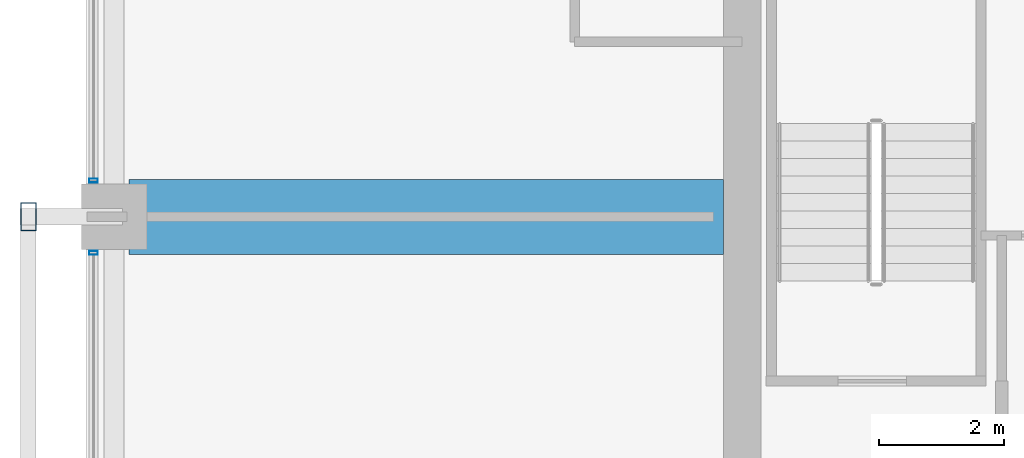
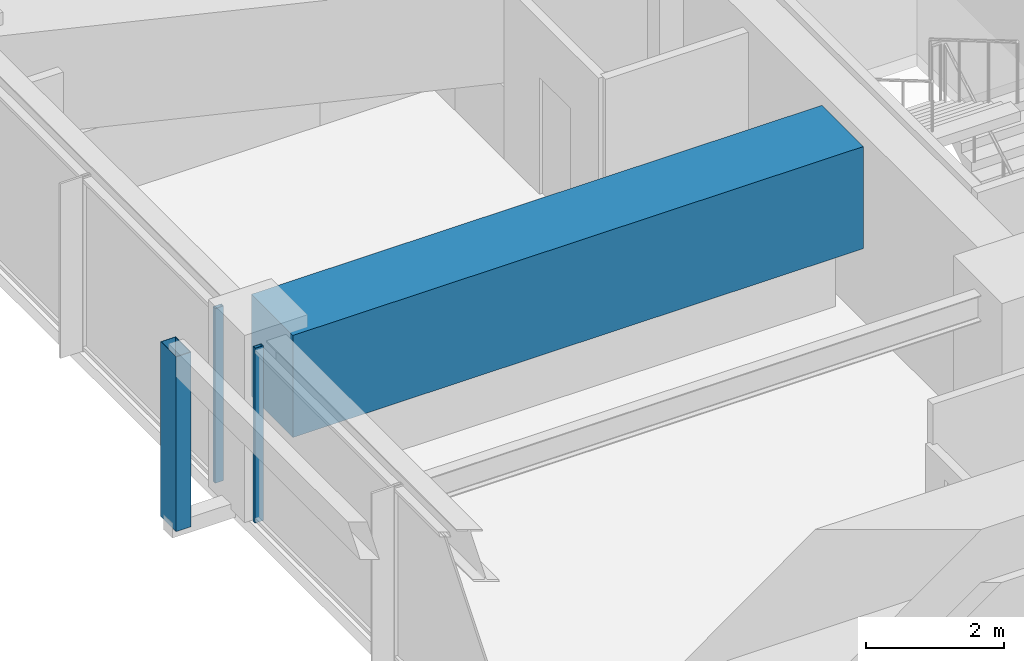
# One storey, part 11 of 39: 3 members, 1 beam, 2 elements without a shape of their own.
"""IFC4 building model written with IfcOpenShell, lengths in metres."""

from ifc_helpers import new_model, si_unit, direction, frame, origin, origin_2d, place, context, subcontext, project, spatial, rectangle, hollow_rectangle, extrude, material, material_profile, profile_set, type_object, element, aggregate, save


model = new_model("IFC4")

# Units and contexts
model_context = context("Model", 3, precision=1e-05, world=origin(), true_north=direction((0.0, 1.0)))
body_context = subcontext(model_context, "Body", "Model", "MODEL_VIEW")
ifc_project = project(units=[si_unit("LENGTHUNIT", "METRE"), si_unit("AREAUNIT", "SQUARE_METRE"), si_unit("VOLUMEUNIT", "CUBIC_METRE"), si_unit("PLANEANGLEUNIT", "RADIAN"), si_unit("MASSUNIT", "GRAM", prefix="KILO")], contexts=[model_context])

# Site, building, storey
site_placement = place(None, origin())
site = spatial("IfcSite", under=ifc_project, at=site_placement, CompositionType="ELEMENT")
building_placement = place(site_placement, origin())
building = spatial("IfcBuilding", under=site, at=building_placement, Name="Kolvaren Belvedere", CompositionType="ELEMENT")
storey_placement = place(building_placement, frame((0.0, 0.0, 85.39990234375)))
storey = spatial("IfcBuildingStorey", under=building, at=storey_placement, Name="L24", CompositionType="ELEMENT", Elevation=85.39990234375)

# Beam
ifc_material_1 = material(Name="Concrete C50/60", Category="concrete")
ifc_material_profile_1 = material_profile(ifc_material_1, rectangle(XDim=1.199951171875, YDim=1.800048828125, at=origin_2d()), Name="RC 1200X1800")
ifc_profile_set_1 = profile_set([ifc_material_profile_1], Name="Concrete C50/60")
beam_type = type_object("IfcBeamType", Name="BM-TG-1800", PredefinedType="BEAM", material=ifc_profile_set_1)
beam_placement = place(storey_placement, frame((-10.199951171875, 4.60009765625, 2.18017578125), z_axis=(-1.0, 0.0, 0.0), x_axis=(0.0, -1.0, 0.0)))
element("IfcBeam", 1, at=beam_placement, inside=storey, type_object=beam_type, Name="L24 West Radial Girder P", PredefinedType="BEAM", context=body_context, shape_type="SweptSolid", body=[
    extrude(rectangle(XDim=1.199951171875, YDim=1.800048828125, at=origin_2d()), origin(), (0.0, 0.0, 1.0), 9.513916015625),
])

# Curtain wall, member
ifc_material_2 = material(Name="Anodised pale-metal aluminium AA 6063-T6", Category="aluminium")
curtain_wall_type = type_object("IfcCurtainWallType", Name="CW-Z2-MID", PredefinedType="NOTDEFINED", material=ifc_material_2)
curtain_wall_1_placement = place(storey_placement, origin())
curtain_wall_1 = element("IfcCurtainWall", 2, at=curtain_wall_1_placement, inside=storey, type_object=curtain_wall_type, Name="L24 Unitised Curtain Wall FCW-L24-W-B2", PredefinedType="NOTDEFINED")
ifc_material_3 = material(Name="Anodised pale-metal aluminium AA 6063-T6", Category="aluminium")
ifc_material_profile_2 = material_profile(ifc_material_3, hollow_rectangle(XDim=0.06494140625, YDim=0.139892578125, WallThickness=0.00390625, at=origin_2d()), Name="ALU-MUL-140X65")
ifc_profile_set_2 = profile_set([ifc_material_profile_2], Name="Anodised pale-metal aluminium AA 6063-T6")
member_type_1 = type_object("IfcMemberType", Name="CW-MUL-140", PredefinedType="MULLION", material=ifc_profile_set_2)
member_1_placement = place(storey_placement, frame((-20.280029296875, 4.0224609375, 0.0), z_axis=(0.0, 0.0, 1.0), x_axis=(0.0, 1.0, 0.0)))
member_1 = element("IfcMember", 3, at=member_1_placement, type_object=member_type_1, Name="FCW-L24-W-B2 Unitised Mullion 3", PredefinedType="MULLION", context=body_context, shape_type="SweptSolid", body=[
    extrude(hollow_rectangle(XDim=0.06494140625, YDim=0.139892578125, WallThickness=0.00390625, at=origin_2d()), origin(), (0.0, 0.0, 1.0), 3.080078125),
])
aggregate(curtain_wall_1, [member_1])

curtain_wall_2_placement = place(storey_placement, origin())
curtain_wall_2 = element("IfcCurtainWall", 4, at=curtain_wall_2_placement, inside=storey, type_object=curtain_wall_type, Name="L24 Unitised Curtain Wall FCW-L24-W-B3", PredefinedType="NOTDEFINED")
member_2_placement = place(storey_placement, frame((-20.280029296875, 5.177490234375, 0.0), z_axis=(0.0, 0.0, 1.0), x_axis=(0.0, 1.0, 0.0)))
member_2 = element("IfcMember", 5, at=member_2_placement, type_object=member_type_1, Name="FCW-L24-W-B3 Unitised Mullion 1", PredefinedType="MULLION", context=body_context, shape_type="SweptSolid", body=[
    extrude(hollow_rectangle(XDim=0.06494140625, YDim=0.139892578125, WallThickness=0.00390625, at=origin_2d()), origin(), (0.0, 0.0, 1.0), 3.080078125),
])
aggregate(curtain_wall_2, [member_2])

# Member
ifc_material_4 = material(Name="Anodised pale-metal aluminium AA 6063-T6", Category="aluminium")
ifc_material_profile_3 = material_profile(ifc_material_4, hollow_rectangle(XDim=0.25, YDim=0.449951171875, WallThickness=0.008544921875, at=origin_2d()), Name="ALU-PF-450X250")
ifc_profile_set_3 = profile_set([ifc_material_profile_3], Name="Anodised pale-metal aluminium AA 6063-T6")
member_type_2 = type_object("IfcMemberType", Name="PF-FRAME-450", PredefinedType="USERDEFINED", material=ifc_profile_set_3)
member_3_placement = place(storey_placement, frame((-21.320068359375, 4.60009765625, 0.0), z_axis=(0.0, 0.0, 1.0), x_axis=(1.0, 0.0, 0.0)))
element("IfcMember", 6, at=member_3_placement, inside=storey, type_object=member_type_2, Name="L24 Outboard Picture-Frame Vertical W2", ObjectType="PICTURE FRAME FIN", PredefinedType="USERDEFINED", context=body_context, shape_type="SweptSolid", body=[
    extrude(hollow_rectangle(XDim=0.25, YDim=0.449951171875, WallThickness=0.008544921875, at=origin_2d()), origin(), (0.0, 0.0, 1.0), 3.080078125),
])

save(model, "model.ifc")
